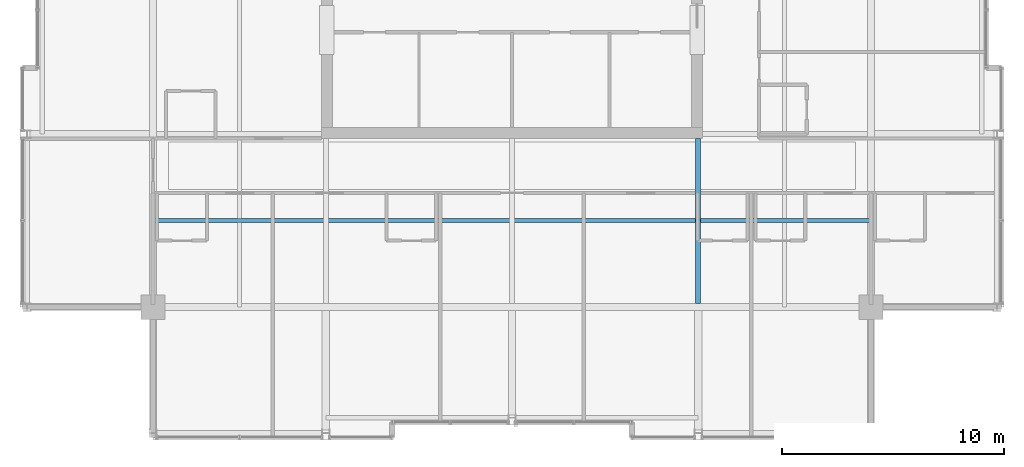
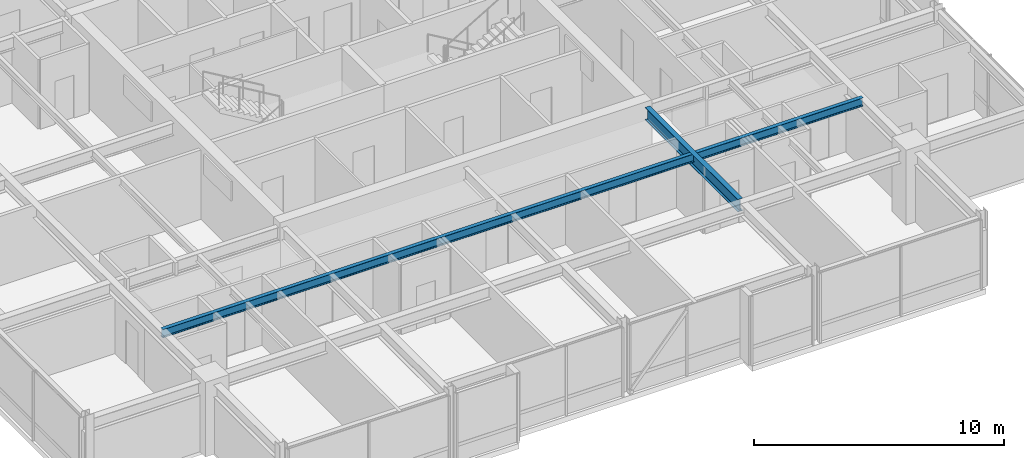
# One storey, part 11 of 34: 2 beams.
"""IFC4 building model written with IfcOpenShell, lengths in metres."""

from ifc_helpers import new_model, si_unit, direction, frame, origin, origin_2d, place, context, subcontext, project, spatial, i_section, extrude, material, material_profile, profile_set, type_object, element, save


model = new_model("IFC4")

# Units and contexts
model_context = context("Model", 3, precision=1e-05, world=origin(), true_north=direction((0.0, 1.0)))
body_context = subcontext(model_context, "Body", "Model", "MODEL_VIEW")
ifc_project = project(units=[si_unit("LENGTHUNIT", "METRE"), si_unit("AREAUNIT", "SQUARE_METRE"), si_unit("VOLUMEUNIT", "CUBIC_METRE"), si_unit("PLANEANGLEUNIT", "RADIAN"), si_unit("MASSUNIT", "GRAM", prefix="KILO")], contexts=[model_context])

# Site, building, storey
site_placement = place(None, origin())
site = spatial("IfcSite", under=ifc_project, at=site_placement, CompositionType="ELEMENT")
building_placement = place(site_placement, origin())
building = spatial("IfcBuilding", under=site, at=building_placement, Name="Drelvath Grand Hotel", CompositionType="ELEMENT")
storey_placement = place(building_placement, frame((0.0, 0.0, 272.300048828125)))
storey = spatial("IfcBuildingStorey", under=building, at=storey_placement, Name="L71", CompositionType="ELEMENT", Elevation=272.300048828125)

# Beams
ifc_material = material(Name="Steel ASTM A992 Gr 50", Category="steel")
ifc_material_profile_1 = material_profile(ifc_material, i_section(OverallWidth=0.177734375, OverallDepth=0.40673828125, WebThickness=0.0078125, FlangeThickness=0.0126953125, FilletRadius=0.014892578125, at=origin_2d()), Name="W16X40")
ifc_profile_set_1 = profile_set([ifc_material_profile_1], Name="Steel ASTM A992 Gr 50")
beam_type_1 = type_object("IfcBeamType", Name="Composite Floor Joist W16X40", PredefinedType="JOIST", material=ifc_profile_set_1)
beam_1_placement = place(storey_placement, frame((-16.199951171875, 14.699951171875, 3.1865234375), z_axis=(1.0, 0.0, 0.0), x_axis=(0.0, 1.0, 0.0)))
element("IfcBeam", 1, at=beam_1_placement, inside=storey, type_object=beam_type_1, Name="L71 Floor Joist J1", PredefinedType="JOIST", context=body_context, shape_type="SweptSolid", body=[
    extrude(i_section(OverallWidth=0.177734375, OverallDepth=0.40673828125, WebThickness=0.0078125, FlangeThickness=0.0126953125, FilletRadius=0.014892578125, at=origin_2d()), origin(), (0.0, 0.0, 1.0), 32.39990234375),
])
ifc_material_profile_2 = material_profile(ifc_material, i_section(OverallWidth=0.228271484375, OverallDepth=0.607666015625, WebThickness=0.01123046875, FlangeThickness=0.017333984375, FilletRadius=0.02001953125, at=origin_2d()), Name="W24X76")
ifc_profile_set_2 = profile_set([ifc_material_profile_2], Name="Steel ASTM A992 Gr 50")
beam_type_2 = type_object("IfcBeamType", Name="Primary Floor Girder W24X76", PredefinedType="BEAM", material=ifc_profile_set_2)
beam_2_placement = place(storey_placement, frame((8.39990234375, 10.9619140625, 3.086181640625), z_axis=(0.0, 1.0, 0.0), x_axis=(-1.0, 0.0, 0.0)))
element("IfcBeam", 2, at=beam_2_placement, inside=storey, type_object=beam_type_2, Name="L71 South Core Tie 6", PredefinedType="BEAM", context=body_context, shape_type="SweptSolid", body=[
    extrude(i_section(OverallWidth=0.228271484375, OverallDepth=0.607666015625, WebThickness=0.01123046875, FlangeThickness=0.017333984375, FilletRadius=0.02001953125, at=origin_2d()), origin(), (0.0, 0.0, 1.0), 7.43798828125),
])

save(model, "model.ifc")
